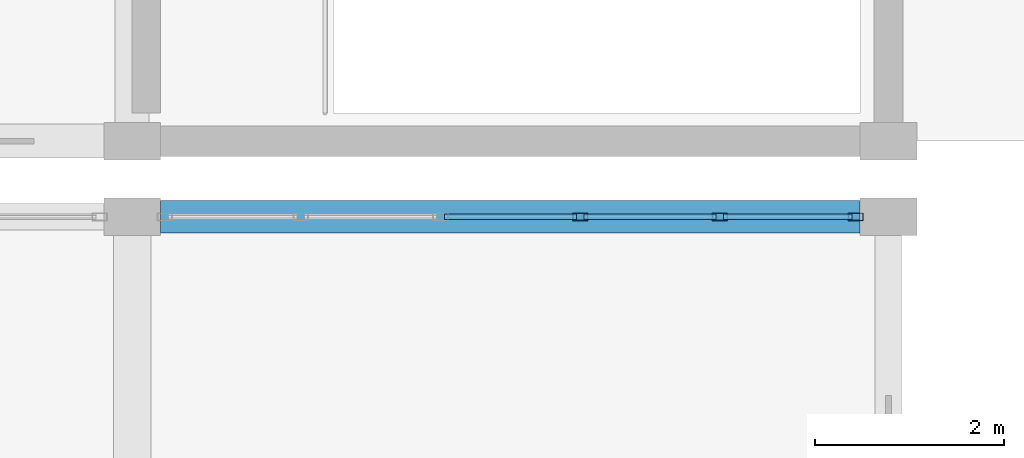
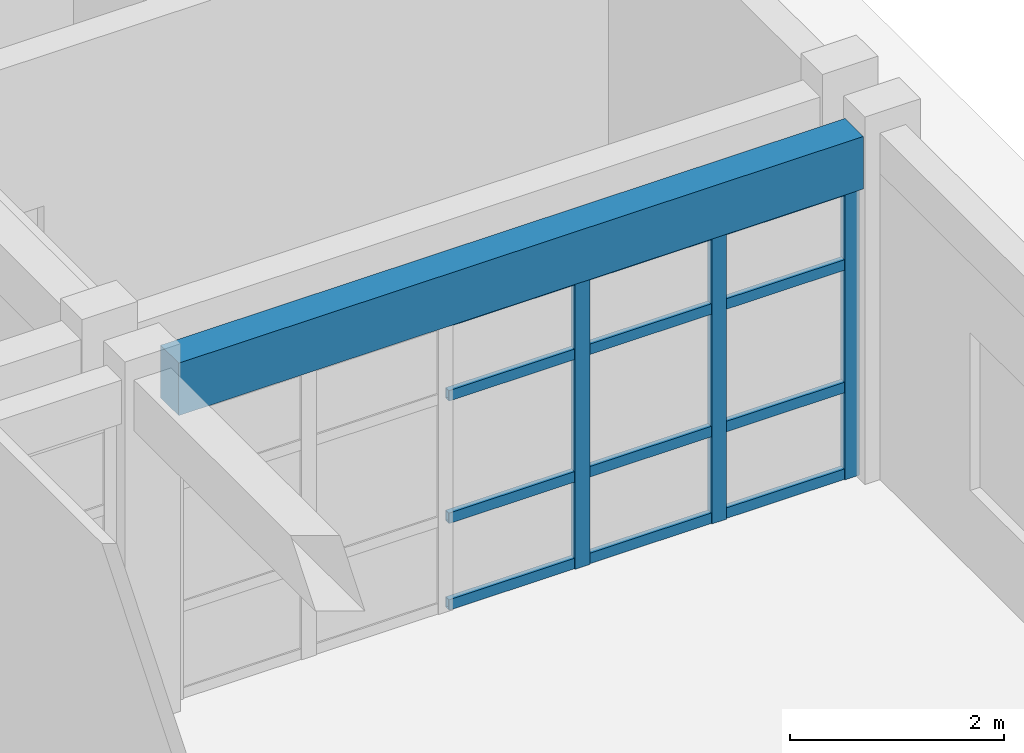
# One storey, part 26 of 121: 15 members, 1 beam, 1 element without a shape of its own.
"""IFC4 building model written with IfcOpenShell, lengths in metres."""

import ifcopenshell
import ifcopenshell.guid

model = None  # the IFC model being written
_history = None  # IfcOwnerHistory: only IFC2X3 demands one
_inside = {}  # id of a spatial element -> (the spatial element, [elements in it])
_under = {}  # id of a project, library or spatial element -> (it, [spatial elements below it])
_declared = {}  # id of a project -> (the project, [libraries it declares])
_typed = {}  # id of a type object -> (the type object, [elements of that type])
_made_of = {}  # id of a material, layer set ... -> (it, [elements and type objects made of it])


def new_model(schema):
    """Start an empty IFC model of exactly this schema.

    Asked for "IFC4X3", IfcOpenShell would pick the latest addendum, in which some entities
    have other attributes; the version numbers below select the first issue.
    IFC2X3 requires an IfcOwnerHistory on every rooted entity: one is made here for all.
    """
    global model, _history
    if schema == "IFC4X3":
        model = ifcopenshell.file(schema_version=(4, 3, 0, 0))
    else:
        model = ifcopenshell.file(schema=schema)
    _inside.clear()
    _under.clear()
    _declared.clear()
    _typed.clear()
    _made_of.clear()
    _history = None
    if model.schema == "IFC2X3":
        org = make("IfcOrganization", Name="unknown")
        user = make(
            "IfcPersonAndOrganization",
            ThePerson=make("IfcPerson", FamilyName="unknown"),
            TheOrganization=org,
        )
        app = make(
            "IfcApplication",
            ApplicationDeveloper=org,
            Version="unknown",
            ApplicationFullName="unknown",
            ApplicationIdentifier="unknown",
        )
        _history = make(
            "IfcOwnerHistory",
            OwningUser=user,
            OwningApplication=app,
            ChangeAction="ADDED",
            CreationDate=0,
        )
    return model


def make(cls, **values):
    """One entity of the class cls with the attributes given. An attribute that is None is left unset."""
    return model.create_entity(
        cls, **{name: value for name, value in values.items() if value is not None}
    )


def rooted(cls, **values):
    """An entity with a GlobalId (a new one), such as an element, a storey or a relation."""
    return make(cls, GlobalId=ifcopenshell.guid.new(), OwnerHistory=_history, **values)


def si_unit(unit_type, name, prefix=None):
    """IfcSIUnit, for example si_unit("LENGTHUNIT", "METRE", prefix="MILLI")."""
    return make("IfcSIUnit", UnitType=unit_type, Prefix=prefix, Name=name)


def assignment(units):
    """IfcUnitAssignment: the units of a project."""
    return None if units is None else make("IfcUnitAssignment", Units=units)


def point(xyz):
    """IfcCartesianPoint."""
    return None if xyz is None else make("IfcCartesianPoint", Coordinates=xyz)


def direction(xyz):
    """IfcDirection."""
    return None if xyz is None else make("IfcDirection", DirectionRatios=xyz)


def frame(location, z_axis=None, x_axis=None):
    """IfcAxis2Placement3D, a coordinate frame: its origin and axes. An axis left out is left unset."""
    return make(
        "IfcAxis2Placement3D",
        Location=point(location),
        Axis=direction(z_axis),
        RefDirection=direction(x_axis),
    )


def frame_2d(location, x_axis=None):
    """IfcAxis2Placement2D, a coordinate frame in the plane: its origin and x axis."""
    return make(
        "IfcAxis2Placement2D", Location=point(location), RefDirection=direction(x_axis)
    )


def origin():
    """The frame at (0, 0, 0) with its axes left unset."""
    return frame((0.0, 0.0, 0.0))


def origin_2d():
    """The frame at (0, 0) in the plane with its x axis left unset."""
    return frame_2d((0.0, 0.0))


def place(relative_to, where):
    """IfcLocalPlacement: puts the frame where relative to a parent placement (None: the world)."""
    return make(
        "IfcLocalPlacement", PlacementRelTo=relative_to, RelativePlacement=where
    )


def context(
    kind, dimensions, precision=None, world=None, true_north=None, identifier=None
):
    """IfcGeometricRepresentationContext, for example the 3D "Model" context."""
    return make(
        "IfcGeometricRepresentationContext",
        ContextIdentifier=identifier,
        ContextType=kind,
        CoordinateSpaceDimension=dimensions,
        Precision=precision,
        WorldCoordinateSystem=world,
        TrueNorth=true_north,
    )


def subcontext(parent, identifier, kind, view, scale=None):
    """IfcGeometricRepresentationSubContext, for example "Body" below "Model"."""
    return make(
        "IfcGeometricRepresentationSubContext",
        ContextIdentifier=identifier,
        ContextType=kind,
        ParentContext=parent,
        TargetScale=scale,
        TargetView=view,
    )


def project(units=None, contexts=None):
    """IfcProject with its units and contexts."""
    return rooted(
        "IfcProject",
        Name="project",
        RepresentationContexts=contexts,
        UnitsInContext=assignment(units),
    )


def spatial(cls, under=None, at=None, **own):
    """A site, building, storey or space (cls), placed at a placement, below another one or the project."""
    s = rooted(cls, ObjectPlacement=at, **own)
    if under is not None:
        _under.setdefault(under.id(), (under, []))[1].append(s)
    return s


def profile(cls, at=None, kind="AREA", **sizes):
    """A parametric profile (cls). Its sizes go by their IFC names, for example OverallWidth=200.0."""
    return make(cls, ProfileType=kind, Position=at, **sizes)


def rectangle(**sizes):
    """IfcRectangleProfileDef."""
    return profile("IfcRectangleProfileDef", **sizes)


def hollow_rectangle(**sizes):
    """IfcRectangleHollowProfileDef."""
    return profile("IfcRectangleHollowProfileDef", **sizes)


def extrude(swept, where, along, depth):
    """IfcExtrudedAreaSolid: the profile swept, set in the frame where, extruded along a direction by depth."""
    return make(
        "IfcExtrudedAreaSolid",
        SweptArea=swept,
        Position=where,
        ExtrudedDirection=direction(along),
        Depth=depth,
    )


def shape(context_of_items, identifier, shape_type, items):
    """IfcShapeRepresentation: the items that make up one representation, for example the "Body"."""
    return make(
        "IfcShapeRepresentation",
        ContextOfItems=context_of_items,
        RepresentationIdentifier=identifier,
        RepresentationType=shape_type,
        Items=items,
    )


def material(Name=None, Category=None):
    """IfcMaterial."""
    return make("IfcMaterial", Name=Name, Category=Category)


def material_profile(
    of_material, cross_section, Name=None, Category=None, Priority=None
):
    """IfcMaterialProfile: a cross section and its material."""
    return make(
        "IfcMaterialProfile",
        Name=Name,
        Material=of_material,
        Profile=cross_section,
        Priority=Priority,
        Category=Category,
    )


def profile_set(profiles, Name=None, composite=None):
    """IfcMaterialProfileSet."""
    return make(
        "IfcMaterialProfileSet",
        Name=Name,
        MaterialProfiles=profiles,
        CompositeProfile=composite,
    )


def made_of(thing, what):
    """Note that an element or type object is made of a material, layer set ...; save() writes the relation."""
    if what is not None:
        _made_of.setdefault(what.id(), (what, []))[1].append(thing)
    return thing


def type_object(cls, material=None, **own):
    """A type object (cls), such as IfcWallType, which elements share."""
    return made_of(rooted(cls, **own), material)


def element(
    cls,
    number,
    at=None,
    inside=None,
    cuts=None,
    type_object=None,
    material=None,
    context=None,
    identifier="Body",
    shape_type=None,
    held_by="IfcProductDefinitionShape",
    body=None,
    shapes=None,
    **own,
):
    """One element of the class cls, such as IfcWall. Its Tag is "e" and its number.

    at: its placement. inside: the storey or other place that contains it. cuts: it is an
    opening in that element (IfcRelVoidsElement). A single representation is given by context,
    identifier, shape_type and body (its items); several are given by shapes. held_by: the class
    of the entity that holds the representations. save() writes the other relations.
    """
    e = rooted(cls, Tag="e%d" % number, ObjectPlacement=at, **own)
    if body is not None:
        shapes = [shape(context, identifier, shape_type, body)]
    if shapes is not None:
        e.Representation = make(held_by, Representations=shapes)
    if inside is not None:
        _inside.setdefault(inside.id(), (inside, []))[1].append(e)
    if cuts is not None:
        rooted(
            "IfcRelVoidsElement", RelatingBuildingElement=cuts, RelatedOpeningElement=e
        )
    if type_object is not None:
        _typed.setdefault(type_object.id(), (type_object, []))[1].append(e)
    return made_of(e, material)


def aggregate(whole, parts):
    """IfcRelAggregates: a whole, such as a stair, and the parts it consists of."""
    return rooted("IfcRelAggregates", RelatingObject=whole, RelatedObjects=parts)


def save(model, path):
    """Write the relations noted so far, then the file.

    IfcRelAggregates (storeys below a building ...), IfcRelContainedInSpatialStructure (elements
    in a storey), IfcRelDefinesByType, IfcRelAssociatesMaterial and IfcRelDeclares: one each for
    every whole, place, type object, material and project.
    """
    for whole, parts in _under.values():
        aggregate(whole, parts)
    for where, things in _inside.values():
        rooted(
            "IfcRelContainedInSpatialStructure",
            RelatedElements=things,
            RelatingStructure=where,
        )
    for kind, things in _typed.values():
        rooted("IfcRelDefinesByType", RelatedObjects=things, RelatingType=kind)
    for what, things in _made_of.values():
        rooted("IfcRelAssociatesMaterial", RelatedObjects=things, RelatingMaterial=what)
    for by, libraries in _declared.values():
        rooted("IfcRelDeclares", RelatingContext=by, RelatedDefinitions=libraries)
    model.write(path)


model = new_model("IFC4")

# Units and contexts
model_context = context("Model", 3, precision=1e-05, world=origin(), true_north=direction((0.0, 1.0)))
body_context = subcontext(model_context, "Body", "Model", "MODEL_VIEW")
ifc_project = project(units=[si_unit("LENGTHUNIT", "METRE"), si_unit("AREAUNIT", "SQUARE_METRE"), si_unit("VOLUMEUNIT", "CUBIC_METRE"), si_unit("PLANEANGLEUNIT", "RADIAN"), si_unit("MASSUNIT", "GRAM", prefix="KILO")], contexts=[model_context])

# Site, building, storey
site_placement = place(None, origin())
site = spatial("IfcSite", under=ifc_project, at=site_placement, CompositionType="ELEMENT")
building_placement = place(site_placement, origin())
building = spatial("IfcBuilding", under=site, at=building_placement, Name="Kharva Crest Polytechnic", CompositionType="ELEMENT")
storey_placement = place(building_placement, frame((0.0, 0.0, 13.199951171875)))
storey = spatial("IfcBuildingStorey", under=building, at=storey_placement, Name="L03", CompositionType="ELEMENT", Elevation=13.199951171875)

# Curtain wall, members
ifc_material_1 = material(Name="Tempered insulated glass", Category="glass")
curtain_wall_type = type_object("IfcCurtainWallType", Name="CW-SYS-COURT", PredefinedType="USERDEFINED", material=ifc_material_1)
curtain_wall_placement = place(storey_placement, origin())
curtain_wall = element("IfcCurtainWall", 1, at=curtain_wall_placement, inside=storey, type_object=curtain_wall_type, Name="L03 Glazed Curtain Wall CW-127", ObjectType="CURTAIN WALL", PredefinedType="USERDEFINED")
ifc_material_2 = material(Name="Steel S355", Category="steel")
ifc_material_profile_1 = material_profile(ifc_material_2, hollow_rectangle(XDim=0.080078125, YDim=0.159912109375, WallThickness=0.0048828125, at=origin_2d()), Name="RHS 160X80X5.0")
ifc_profile_set_1 = profile_set([ifc_material_profile_1], Name="Steel S355")
member_type_1 = type_object("IfcMemberType", Name="CWM-RHS160X80", PredefinedType="MULLION", material=ifc_profile_set_1)
member_1_placement = place(storey_placement, frame((47.655029296875, 38.0, 0.0), z_axis=(0.0, 0.0, 1.0), x_axis=(0.0, -1.0, 0.0)))
member_1 = element("IfcMember", 2, at=member_1_placement, type_object=member_type_1, Name="CW-127 mullion 1", PredefinedType="MULLION", context=body_context, shape_type="SweptSolid", body=[
    extrude(hollow_rectangle(XDim=0.080078125, YDim=0.159912109375, WallThickness=0.0048828125, at=origin_2d()), origin(), (0.0, 0.0, 1.0), 3.360107421875),
])
member_2_placement = place(storey_placement, frame((46.217041015625, 38.0, 0.0), z_axis=(0.0, 0.0, 1.0), x_axis=(0.0, -1.0, 0.0)))
member_2 = element("IfcMember", 3, at=member_2_placement, type_object=member_type_1, Name="CW-127 mullion 2", PredefinedType="MULLION", context=body_context, shape_type="SweptSolid", body=[
    extrude(hollow_rectangle(XDim=0.080078125, YDim=0.159912109375, WallThickness=0.0048828125, at=origin_2d()), origin(), (0.0, 0.0, 1.0), 3.360107421875),
])
member_3_placement = place(storey_placement, frame((44.739013671875, 38.0, 0.0), z_axis=(0.0, 0.0, 1.0), x_axis=(0.0, -1.0, 0.0)))
member_3 = element("IfcMember", 4, at=member_3_placement, type_object=member_type_1, Name="CW-127 mullion 3", PredefinedType="MULLION", context=body_context, shape_type="SweptSolid", body=[
    extrude(hollow_rectangle(XDim=0.080078125, YDim=0.159912109375, WallThickness=0.0048828125, at=origin_2d()), origin(), (0.0, 0.0, 1.0), 3.360107421875),
])
ifc_material_profile_2 = material_profile(ifc_material_2, hollow_rectangle(XDim=0.06005859375, YDim=0.1201171875, WallThickness=0.00390625, at=origin_2d()), Name="RHS 120X60X4.0")
ifc_profile_set_2 = profile_set([ifc_material_profile_2], Name="Steel S355")
member_type_2 = type_object("IfcMemberType", Name="CWT-RHS120X60", PredefinedType="USERDEFINED", material=ifc_profile_set_2)
member_4_placement = place(storey_placement, frame((47.614990234375, 38.0, 0.06005859375), z_axis=(-1.0, 0.0, 0.0), x_axis=(0.0, -1.0, 0.0)))
member_4 = element("IfcMember", 5, at=member_4_placement, type_object=member_type_2, Name="CW-127 transom 1.1", ObjectType="TRANSOM", PredefinedType="USERDEFINED", context=body_context, shape_type="SweptSolid", body=[
    extrude(hollow_rectangle(XDim=0.06005859375, YDim=0.1201171875, WallThickness=0.00390625, at=origin_2d()), origin(), (0.0, 0.0, 1.0), 1.35791015625),
])
member_5_placement = place(storey_placement, frame((47.614990234375, 38.0, 1.050048828125), z_axis=(-1.0, 0.0, 0.0), x_axis=(0.0, -1.0, 0.0)))
member_5 = element("IfcMember", 6, at=member_5_placement, type_object=member_type_2, Name="CW-127 transom 1.2", ObjectType="TRANSOM", PredefinedType="USERDEFINED", context=body_context, shape_type="SweptSolid", body=[
    extrude(hollow_rectangle(XDim=0.06005859375, YDim=0.1201171875, WallThickness=0.00390625, at=origin_2d()), origin(), (0.0, 0.0, 1.0), 1.35791015625),
])
member_6_placement = place(storey_placement, frame((47.614990234375, 38.0, 2.449951171875), z_axis=(-1.0, 0.0, 0.0), x_axis=(0.0, -1.0, 0.0)))
member_6 = element("IfcMember", 7, at=member_6_placement, type_object=member_type_2, Name="CW-127 transom 1.3", ObjectType="TRANSOM", PredefinedType="USERDEFINED", context=body_context, shape_type="SweptSolid", body=[
    extrude(hollow_rectangle(XDim=0.06005859375, YDim=0.1201171875, WallThickness=0.00390625, at=origin_2d()), origin(), (0.0, 0.0, 1.0), 1.35791015625),
])
member_7_placement = place(storey_placement, frame((47.614990234375, 38.0, 3.300048828125), z_axis=(-1.0, 0.0, 0.0), x_axis=(0.0, -1.0, 0.0)))
member_7 = element("IfcMember", 8, at=member_7_placement, type_object=member_type_2, Name="CW-127 transom 1.4", ObjectType="TRANSOM", PredefinedType="USERDEFINED", context=body_context, shape_type="SweptSolid", body=[
    extrude(hollow_rectangle(XDim=0.06005859375, YDim=0.1201171875, WallThickness=0.00390625, at=origin_2d()), origin(), (0.0, 0.0, 1.0), 1.35791015625),
])
member_8_placement = place(storey_placement, frame((46.177001953125, 38.0, 0.06005859375), z_axis=(-1.0, 0.0, 0.0), x_axis=(0.0, -1.0, 0.0)))
member_8 = element("IfcMember", 9, at=member_8_placement, type_object=member_type_2, Name="CW-127 transom 2.1", ObjectType="TRANSOM", PredefinedType="USERDEFINED", context=body_context, shape_type="SweptSolid", body=[
    extrude(hollow_rectangle(XDim=0.06005859375, YDim=0.1201171875, WallThickness=0.00390625, at=origin_2d()), origin(), (0.0, 0.0, 1.0), 1.39794921875),
])
member_9_placement = place(storey_placement, frame((46.177001953125, 38.0, 1.050048828125), z_axis=(-1.0, 0.0, 0.0), x_axis=(0.0, -1.0, 0.0)))
member_9 = element("IfcMember", 10, at=member_9_placement, type_object=member_type_2, Name="CW-127 transom 2.2", ObjectType="TRANSOM", PredefinedType="USERDEFINED", context=body_context, shape_type="SweptSolid", body=[
    extrude(hollow_rectangle(XDim=0.06005859375, YDim=0.1201171875, WallThickness=0.00390625, at=origin_2d()), origin(), (0.0, 0.0, 1.0), 1.39794921875),
])
member_10_placement = place(storey_placement, frame((46.177001953125, 38.0, 2.449951171875), z_axis=(-1.0, 0.0, 0.0), x_axis=(0.0, -1.0, 0.0)))
member_10 = element("IfcMember", 11, at=member_10_placement, type_object=member_type_2, Name="CW-127 transom 2.3", ObjectType="TRANSOM", PredefinedType="USERDEFINED", context=body_context, shape_type="SweptSolid", body=[
    extrude(hollow_rectangle(XDim=0.06005859375, YDim=0.1201171875, WallThickness=0.00390625, at=origin_2d()), origin(), (0.0, 0.0, 1.0), 1.39794921875),
])
member_11_placement = place(storey_placement, frame((46.177001953125, 38.0, 3.300048828125), z_axis=(-1.0, 0.0, 0.0), x_axis=(0.0, -1.0, 0.0)))
member_11 = element("IfcMember", 12, at=member_11_placement, type_object=member_type_2, Name="CW-127 transom 2.4", ObjectType="TRANSOM", PredefinedType="USERDEFINED", context=body_context, shape_type="SweptSolid", body=[
    extrude(hollow_rectangle(XDim=0.06005859375, YDim=0.1201171875, WallThickness=0.00390625, at=origin_2d()), origin(), (0.0, 0.0, 1.0), 1.39794921875),
])
member_12_placement = place(storey_placement, frame((44.698974609375, 38.0, 0.06005859375), z_axis=(-1.0, 0.0, 0.0), x_axis=(0.0, -1.0, 0.0)))
member_12 = element("IfcMember", 13, at=member_12_placement, type_object=member_type_2, Name="CW-127 transom 3.1", ObjectType="TRANSOM", PredefinedType="USERDEFINED", context=body_context, shape_type="SweptSolid", body=[
    extrude(hollow_rectangle(XDim=0.06005859375, YDim=0.1201171875, WallThickness=0.00390625, at=origin_2d()), origin(), (0.0, 0.0, 1.0), 1.39794921875),
])
member_13_placement = place(storey_placement, frame((44.698974609375, 38.0, 1.050048828125), z_axis=(-1.0, 0.0, 0.0), x_axis=(0.0, -1.0, 0.0)))
member_13 = element("IfcMember", 14, at=member_13_placement, type_object=member_type_2, Name="CW-127 transom 3.2", ObjectType="TRANSOM", PredefinedType="USERDEFINED", context=body_context, shape_type="SweptSolid", body=[
    extrude(hollow_rectangle(XDim=0.06005859375, YDim=0.1201171875, WallThickness=0.00390625, at=origin_2d()), origin(), (0.0, 0.0, 1.0), 1.39794921875),
])
member_14_placement = place(storey_placement, frame((44.698974609375, 38.0, 2.449951171875), z_axis=(-1.0, 0.0, 0.0), x_axis=(0.0, -1.0, 0.0)))
member_14 = element("IfcMember", 15, at=member_14_placement, type_object=member_type_2, Name="CW-127 transom 3.3", ObjectType="TRANSOM", PredefinedType="USERDEFINED", context=body_context, shape_type="SweptSolid", body=[
    extrude(hollow_rectangle(XDim=0.06005859375, YDim=0.1201171875, WallThickness=0.00390625, at=origin_2d()), origin(), (0.0, 0.0, 1.0), 1.39794921875),
])
member_15_placement = place(storey_placement, frame((44.698974609375, 38.0, 3.300048828125), z_axis=(-1.0, 0.0, 0.0), x_axis=(0.0, -1.0, 0.0)))
member_15 = element("IfcMember", 16, at=member_15_placement, type_object=member_type_2, Name="CW-127 transom 3.4", ObjectType="TRANSOM", PredefinedType="USERDEFINED", context=body_context, shape_type="SweptSolid", body=[
    extrude(hollow_rectangle(XDim=0.06005859375, YDim=0.1201171875, WallThickness=0.00390625, at=origin_2d()), origin(), (0.0, 0.0, 1.0), 1.39794921875),
])
aggregate(curtain_wall, [member_1, member_2, member_3, member_4, member_5, member_6, member_7, member_8, member_9, member_10, member_11, member_12, member_13, member_14, member_15])

# Beam
ifc_material_3 = material(Name="Concrete C35/45", Category="concrete")
ifc_material_profile_3 = material_profile(ifc_material_3, rectangle(XDim=0.340087890625, YDim=0.60009765625, at=origin_2d()), Name="RECT 340 X 600")
ifc_profile_set_3 = profile_set([ifc_material_profile_3], Name="Concrete C35/45")
beam_type = type_object("IfcBeamType", Name="SP-RC-340X600", PredefinedType="SPANDREL", material=ifc_profile_set_3)
beam_placement = place(storey_placement, frame((40.300048828125, 38.0, 3.66015625), z_axis=(1.0, 0.0, 0.0), x_axis=(0.0, 1.0, 0.0)))
element("IfcBeam", 17, at=beam_placement, inside=storey, type_object=beam_type, Name="L03 Beam F/6-7", PredefinedType="SPANDREL", context=body_context, shape_type="SweptSolid", body=[
    extrude(rectangle(XDim=0.340087890625, YDim=0.60009765625, at=origin_2d()), origin(), (0.0, 0.0, 1.0), 7.39990234375),
])

save(model, "model.ifc")
